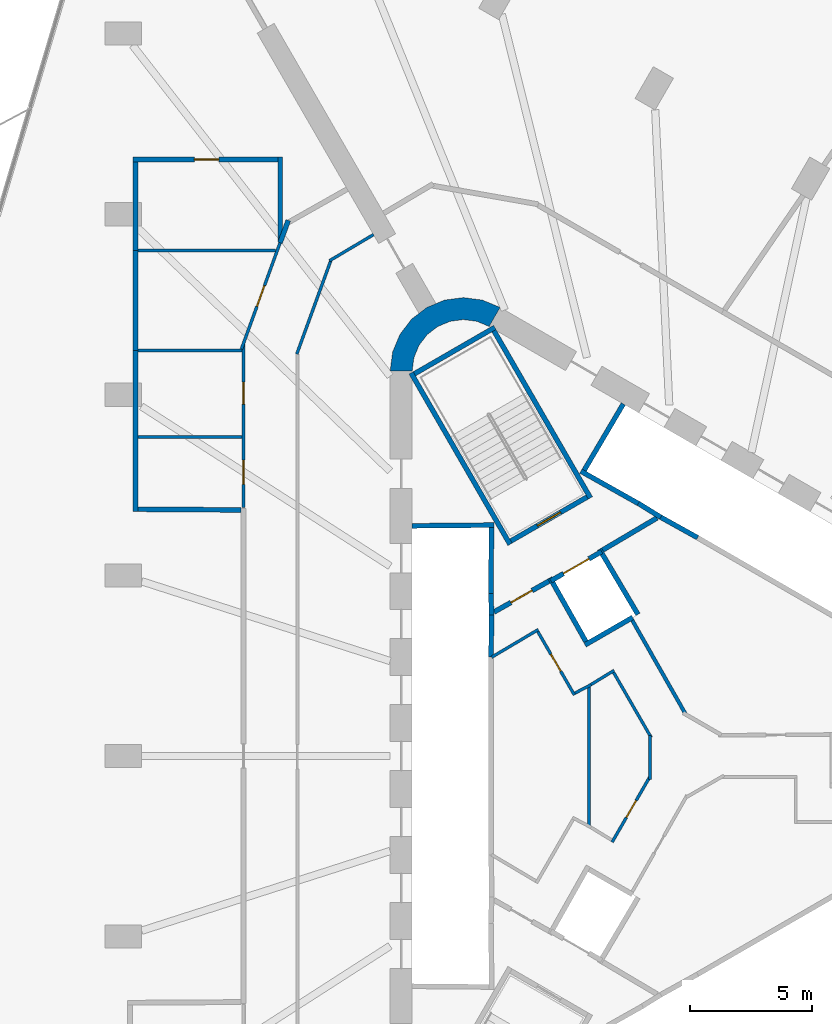
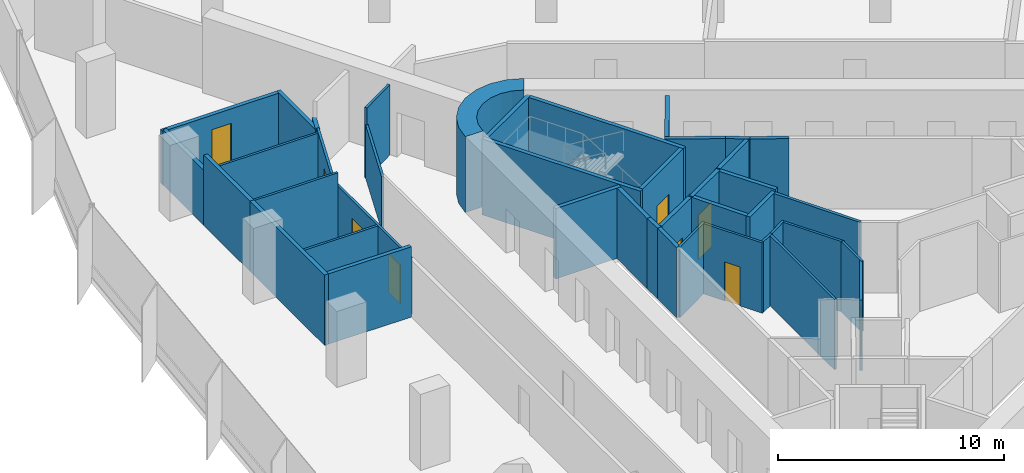
# One storey, part 11 of 15: 42 walls, 9 doors, 9 openings.
"""IFC4 building model written with IfcOpenShell, lengths in metres."""

from ifc_helpers import new_model, si_unit, direction, frame, frame_2d, origin, place, context, subcontext, project, spatial, polyline, rectangle, outline, extrude, material, layer, layer_set, type_object, element, fill, save


model = new_model("IFC4")

# Units and contexts
model_context = context("Model", 3, precision=1e-05, world=origin(), true_north=direction((0.0, 1.0)))
body_context = subcontext(model_context, "Body", "Model", "MODEL_VIEW")
ifc_project = project(units=[si_unit("LENGTHUNIT", "METRE"), si_unit("AREAUNIT", "SQUARE_METRE"), si_unit("VOLUMEUNIT", "CUBIC_METRE"), si_unit("PLANEANGLEUNIT", "RADIAN"), si_unit("MASSUNIT", "GRAM", prefix="KILO")], contexts=[model_context])

# Site, building, storey
site_placement = place(None, origin())
site = spatial("IfcSite", under=ifc_project, at=site_placement, CompositionType="ELEMENT")
building_placement = place(site_placement, origin())
building = spatial("IfcBuilding", under=site, at=building_placement, Name="Tanit Gate Tower", CompositionType="ELEMENT")
storey_placement = place(building_placement, frame((0.0, 0.0, 102.89990234375)))
storey = spatial("IfcBuildingStorey", under=building, at=storey_placement, Name="L21", CompositionType="ELEMENT", Elevation=102.89990234375)

# Walls
ifc_material_1 = material(Name="Concrete C60/75", Category="concrete")
ifc_layer_1 = layer(ifc_material_1, 0.89990234375)
ifc_layer_set_1 = layer_set([ifc_layer_1], Name="CORE WALL 900 C60/75")
wall_type_1 = type_object("IfcWallType", Name="CORE WALL 900 C60/75", PredefinedType="SHEAR", material=ifc_layer_set_1)
wall_1_placement = place(storey_placement, origin())
element("IfcWall", 1, at=wall_1_placement, inside=storey, type_object=wall_type_1, Name="CORE WALL CORNER", PredefinedType="SHEAR", context=body_context, shape_type="SweptSolid", body=[
    extrude(outline(polyline([(-7.60009765625, 18.359619140625), (-8.323486328125, 18.659423828125), (-9.10009765625, 18.76171875), (-9.87646484375, 18.659423828125), (-10.60009765625, 18.359619140625), (-11.22119140625, 17.883056640625), (-11.697998046875, 17.26171875), (-11.997802734375, 16.5380859375), (-12.10009765625, 15.76171875), (-11.199951171875, 15.76171875), (-11.12841796875, 16.30517578125), (-10.918701171875, 16.811767578125), (-10.5849609375, 17.24658203125), (-10.14990234375, 17.580322265625), (-9.6435546875, 17.7900390625), (-9.10009765625, 17.86181640625), (-8.556396484375, 17.7900390625), (-8.050048828125, 17.580322265625), (-7.60009765625, 18.359619140625)])), origin(), (0.0, 0.0, 1.0), 4.10009765625),
])
ifc_material_2 = material(Name="Fire-rated gypsum board partition")
ifc_layer_2 = layer(ifc_material_2, 0.199951171875)
ifc_layer_set_2 = layer_set([ifc_layer_2], Name="INT-WALL-COMPARTMENT")
wall_type_2 = type_object("IfcWallType", Name="INT-WALL-COMPARTMENT", PredefinedType="PARTITIONING", material=ifc_layer_set_2)
wall_2_placement = place(storey_placement, frame((-1.1796875, 9.744384765625, 0.0), z_axis=(0.0, 0.0, 1.0), x_axis=(-0.860615607571, -0.509255118781, 0.0)))
element("IfcWall", 2, at=wall_2_placement, inside=storey, type_object=wall_type_2, Name="Wall Compartment W061", PredefinedType="PARTITIONING", context=body_context, shape_type="SweptSolid", body=[
    extrude(rectangle(XDim=2.58056640625, YDim=0.199951171875, at=frame_2d((1.290283203125, 0.0))), origin(), (0.0, 0.0, 1.0), 3.800048828125),
])

# Wall, opening, door
wall_3_placement = place(storey_placement, frame((-5.600341796875, 7.16015625, 0.0), z_axis=(0.0, 0.0, 1.0), x_axis=(-0.871363259478, -0.490638431059, 0.0)))
wall_3 = element("IfcWall", 3, at=wall_3_placement, inside=storey, type_object=wall_type_2, Name="Wall Compartment W062", PredefinedType="PARTITIONING", context=body_context, shape_type="SweptSolid", body=[
    extrude(rectangle(XDim=2.5810546875, YDim=0.199951171875, at=frame_2d((1.29052734375, 0.0))), origin(), (0.0, 0.0, 1.0), 3.800048828125),
])
opening_1_placement = place(wall_3_placement, frame((0.79052734375, 0.0, 0.0)))
opening_1 = element("IfcOpeningElement", 4, at=opening_1_placement, cuts=wall_3, Name="Opening F10-S04-05", PredefinedType="OPENING", context=body_context, shape_type="SweptSolid", body=[
    extrude(rectangle(XDim=1.0, YDim=2.10009765625, at=frame_2d((0.5, 1.050048828125))), frame((0.0, 0.10986328125, 0.0), z_axis=(0.0, -1.0, 0.0), x_axis=(1.0, 0.0, 0.0)), (0.0, 0.0, 1.0), 0.219970703125),
])
ifc_material_3 = material(Name="Fire-rated steel door leaf", Category="steel")
door_type_1 = type_object("IfcDoorType", Name="INT-DOOR-FIRE-1000", OperationType="NOTDEFINED", PredefinedType="USERDEFINED", material=ifc_material_3)
door_1_placement = place(opening_1_placement, origin())
door_1 = element("IfcDoor", 5, at=door_1_placement, inside=storey, type_object=door_type_1, Name="Door F10-S04-05", ObjectType="FIRE DOOR", OperationType="SINGLE_SWING_LEFT", OverallHeight=2.10009765625, OverallWidth=1.0, PredefinedType="USERDEFINED", context=body_context, shape_type="SweptSolid", body=[
    extrude(rectangle(XDim=1.0, YDim=2.10009765625, at=frame_2d((0.5, 1.050048828125))), frame((0.0, 0.02490234375, 0.0), z_axis=(0.0, -1.0, 0.0), x_axis=(1.0, 0.0, 0.0)), (0.0, 0.0, 1.0), 0.050048828125),
])
fill(opening_1, door_1)

# Walls
wall_4_placement = place(storey_placement, frame((-16.271484375, 21.922607421875, 0.0), z_axis=(0.0, 0.0, 1.0), x_axis=(-0.342165073447, -0.939639857878, 0.0)))
element("IfcWall", 6, at=wall_4_placement, inside=storey, type_object=wall_type_2, Name="Wall Compartment W094", PredefinedType="PARTITIONING", context=body_context, shape_type="SweptSolid", body=[
    extrude(rectangle(XDim=0.975341796875, YDim=0.199951171875, at=frame_2d((0.48779296875, 0.0))), origin(), (0.0, 0.0, 1.0), 2.880126953125),
])
wall_5_placement = place(storey_placement, frame((-22.52001953125, 10.0, 0.0), z_axis=(0.0, 0.0, 1.0), x_axis=(0.0, 1.0, 0.0)))
element("IfcWall", 7, at=wall_5_placement, inside=storey, type_object=wall_type_2, Name="Wall Compartment W120", PredefinedType="PARTITIONING", context=body_context, shape_type="SweptSolid", body=[
    extrude(rectangle(XDim=6.596923828125, YDim=0.199951171875, at=frame_2d((3.29833984375, 0.0))), origin(), (0.0, 0.0, 1.0), 3.800048828125),
])
wall_6_placement = place(storey_placement, frame((-22.52001953125, 16.596923828125, 0.0), z_axis=(0.0, 0.0, 1.0), x_axis=(0.0, 1.0, 0.0)))
element("IfcWall", 8, at=wall_6_placement, inside=storey, type_object=wall_type_2, Name="Wall Compartment W123", PredefinedType="PARTITIONING", context=body_context, shape_type="SweptSolid", body=[
    extrude(rectangle(XDim=4.095458984375, YDim=0.199951171875, at=frame_2d((2.0478515625, 0.0))), origin(), (0.0, 0.0, 1.0), 3.800048828125),
])
wall_7_placement = place(storey_placement, frame((-22.52001953125, 20.6923828125, 0.0), z_axis=(0.0, 0.0, 1.0), x_axis=(0.0, 1.0, 0.0)))
element("IfcWall", 9, at=wall_7_placement, inside=storey, type_object=wall_type_2, Name="Wall Compartment W126", PredefinedType="PARTITIONING", context=body_context, shape_type="SweptSolid", body=[
    extrude(rectangle(XDim=3.61767578125, YDim=0.199951171875, at=frame_2d((1.808837890625, 0.0))), origin(), (0.0, 0.0, 1.0), 2.97998046875),
])
wall_8_placement = place(storey_placement, frame((-18.199951171875, 10.07080078125, 0.0), z_axis=(0.0, 0.0, 1.0), x_axis=(-0.999977091955, 0.006768719685, 0.0)))
element("IfcWall", 10, at=wall_8_placement, inside=storey, type_object=wall_type_2, Name="Wall Compartment W121", PredefinedType="PARTITIONING", context=body_context, shape_type="SweptSolid", body=[
    extrude(rectangle(XDim=4.219970703125, YDim=0.199951171875, at=frame_2d((2.10986328125, 0.0))), origin(), (0.0, 0.0, 1.0), 3.800048828125),
])
wall_9_placement = place(storey_placement, frame((-16.60009765625, 21.03564453125, 0.0), z_axis=(0.0, 0.0, 1.0), x_axis=(0.0, 1.0, 0.0)))
element("IfcWall", 11, at=wall_9_placement, inside=storey, type_object=wall_type_2, Name="Wall Compartment W124", PredefinedType="PARTITIONING", context=body_context, shape_type="SweptSolid", body=[
    extrude(rectangle(XDim=3.474365234375, YDim=0.199951171875, at=frame_2d((1.7373046875, 0.0))), origin(), (0.0, 0.0, 1.0), 2.880126953125),
])

# Wall, opening, door
wall_10_placement = place(storey_placement, frame((-16.699951171875, 24.409912109375, 0.0), z_axis=(0.0, 0.0, 1.0), x_axis=(-1.0, 0.0, 0.0)))
wall_10 = element("IfcWall", 12, at=wall_10_placement, inside=storey, type_object=wall_type_2, Name="Wall Compartment W125", PredefinedType="PARTITIONING", context=body_context, shape_type="SweptSolid", body=[
    extrude(rectangle(XDim=5.920166015625, YDim=0.199951171875, at=frame_2d((2.9599609375, 0.0))), origin(), (0.0, 0.0, 1.0), 2.880126953125),
])
opening_2_placement = place(wall_10_placement, frame((2.409912109375, 0.0, 0.0)))
opening_2 = element("IfcOpeningElement", 13, at=opening_2_placement, cuts=wall_10, Name="Opening F10-S04-19", PredefinedType="OPENING", context=body_context, shape_type="SweptSolid", body=[
    extrude(rectangle(XDim=1.0, YDim=2.10009765625, at=frame_2d((0.5, 1.050048828125))), frame((0.0, 0.10986328125, 0.0), z_axis=(0.0, -1.0, 0.0), x_axis=(1.0, 0.0, 0.0)), (0.0, 0.0, 1.0), 0.219970703125),
])
door_2_placement = place(opening_2_placement, origin())
door_2 = element("IfcDoor", 14, at=door_2_placement, inside=storey, type_object=door_type_1, Name="Door F10-S04-19", ObjectType="FIRE DOOR", OperationType="SINGLE_SWING_RIGHT", OverallHeight=2.10009765625, OverallWidth=1.0, PredefinedType="USERDEFINED", context=body_context, shape_type="SweptSolid", body=[
    extrude(rectangle(XDim=1.0, YDim=2.10009765625, at=frame_2d((0.5, 1.050048828125))), frame((0.0, 0.02490234375, 0.0), z_axis=(0.0, -1.0, 0.0), x_axis=(1.0, 0.0, 0.0)), (0.0, 0.0, 1.0), 0.050048828125),
])
fill(opening_2, door_2)

# Walls
ifc_material_4 = material(Name="Gypsum board partition")
ifc_layer_3 = layer(ifc_material_4, 0.1201171875)
ifc_layer_set_3 = layer_set([ifc_layer_3], Name="INT-WALL-PARTITION")
wall_type_3 = type_object("IfcWallType", Name="INT-WALL-PARTITION", PredefinedType="PARTITIONING", material=ifc_layer_set_3)
wall_11_placement = place(storey_placement, frame((-3.9638671875, -2.90771484375, 0.0), z_axis=(0.0, 0.0, 1.0), x_axis=(0.0, 1.0, 0.0)))
element("IfcWall", 15, at=wall_11_placement, inside=storey, type_object=wall_type_3, Name="Wall Partition W074", PredefinedType="PARTITIONING", context=body_context, shape_type="SweptSolid", body=[
    extrude(rectangle(XDim=5.8154296875, YDim=0.1201171875, at=frame_2d((2.90771484375, 0.0))), origin(), (0.0, 0.0, 1.0), 3.800048828125),
])
wall_12_placement = place(storey_placement, frame((-6.03662109375, 5.17578125, 0.0), z_axis=(0.0, 0.0, 1.0), x_axis=(-0.860106072674, -0.510115225953, 0.0)))
element("IfcWall", 16, at=wall_12_placement, inside=storey, type_object=wall_type_3, Name="Wall Partition W078", PredefinedType="PARTITIONING", context=body_context, shape_type="SweptSolid", body=[
    extrude(rectangle(XDim=2.224609375, YDim=0.1201171875, at=frame_2d((1.1123046875, 0.0))), origin(), (0.0, 0.0, 1.0), 3.800048828125),
])

# Wall, opening, door
wall_13_placement = place(storey_placement, frame((-4.558349609375, 2.4951171875, 0.0), z_axis=(0.0, 0.0, 1.0), x_axis=(-0.499990139034, 0.866031096941, 0.0)))
wall_13 = element("IfcWall", 17, at=wall_13_placement, inside=storey, type_object=wall_type_3, Name="Wall Partition W079", PredefinedType="PARTITIONING", context=body_context, shape_type="SweptSolid", body=[
    extrude(rectangle(XDim=3.0, YDim=0.1201171875, at=frame_2d((1.5, 0.0))), origin(), (0.0, 0.0, 1.0), 3.800048828125),
])
opening_3_placement = place(wall_13_placement, frame((1.1298828125, 0.0, 0.0)))
opening_3 = element("IfcOpeningElement", 18, at=opening_3_placement, cuts=wall_13, Name="Opening R08-S04-12", PredefinedType="OPENING", context=body_context, shape_type="SweptSolid", body=[
    extrude(rectangle(XDim=0.800048828125, YDim=2.10009765625, at=frame_2d((0.39990234375, 1.050048828125))), frame((0.0, 0.070068359375, 0.0), z_axis=(0.0, -1.0, 0.0), x_axis=(1.0, 0.0, 0.0)), (0.0, 0.0, 1.0), 0.14013671875),
])
ifc_material_5 = material(Name="Timber door leaf", Category="wood")
door_type_2 = type_object("IfcDoorType", Name="INT-DOOR-RISER-800", OperationType="NOTDEFINED", PredefinedType="USERDEFINED", material=ifc_material_5)
door_3_placement = place(opening_3_placement, origin())
door_3 = element("IfcDoor", 19, at=door_3_placement, inside=storey, type_object=door_type_2, Name="Door R08-S04-12", ObjectType="FIRE DOOR", OperationType="SINGLE_SWING_LEFT", OverallHeight=2.10009765625, OverallWidth=0.800048828125, PredefinedType="USERDEFINED", context=body_context, shape_type="SweptSolid", body=[
    extrude(rectangle(XDim=0.800048828125, YDim=2.10009765625, at=frame_2d((0.39990234375, 1.050048828125))), frame((0.0, 0.02490234375, 0.0), z_axis=(0.0, -1.0, 0.0), x_axis=(1.0, 0.0, 0.0)), (0.0, 0.0, 1.0), 0.050048828125),
])
fill(opening_3, door_3)

# Walls
wall_14_placement = place(storey_placement, frame((-3.880615234375, 2.918701171875, 0.0), z_axis=(0.0, 0.0, 1.0), x_axis=(-0.885333337811, -0.464956859246, 0.0)))
element("IfcWall", 20, at=wall_14_placement, inside=storey, type_object=wall_type_3, Name="Wall Partition W080", PredefinedType="PARTITIONING", context=body_context, shape_type="SweptSolid", body=[
    extrude(rectangle(XDim=0.7392578125, YDim=0.1201171875, at=frame_2d((0.36962890625, 0.0))), origin(), (0.0, 0.0, 1.0), 3.800048828125),
])
wall_15_placement = place(storey_placement, frame((-2.93505859375, 3.50341796875, 0.0), z_axis=(0.0, 0.0, 1.0), x_axis=(-0.852471794044, -0.522773220774, 0.0)))
element("IfcWall", 21, at=wall_15_placement, inside=storey, type_object=wall_type_3, Name="Wall Partition W081", PredefinedType="PARTITIONING", context=body_context, shape_type="SweptSolid", body=[
    extrude(rectangle(XDim=1.111572265625, YDim=0.1201171875, at=frame_2d((0.5556640625, 0.0))), origin(), (0.0, 0.0, 1.0), 3.800048828125),
])
wall_16_placement = place(storey_placement, frame((-1.420166015625, 0.760009765625, 0.0), z_axis=(0.0, 0.0, 1.0), x_axis=(-0.500011413361, 0.866018814177, 0.0)))
element("IfcWall", 22, at=wall_16_placement, inside=storey, type_object=wall_type_3, Name="Wall Partition W082", PredefinedType="PARTITIONING", context=body_context, shape_type="SweptSolid", body=[
    extrude(rectangle(XDim=3.07177734375, YDim=0.1201171875, at=frame_2d((1.535888671875, 0.0))), origin(), (0.0, 0.0, 1.0), 3.800048828125),
])
wall_17_placement = place(storey_placement, frame((-1.47216796875, -0.953857421875, 0.0), z_axis=(0.0, 0.0, 1.0), x_axis=(0.0, 1.0, 0.0)))
element("IfcWall", 23, at=wall_17_placement, inside=storey, type_object=wall_type_3, Name="Wall Partition W083", PredefinedType="PARTITIONING", context=body_context, shape_type="SweptSolid", body=[
    extrude(rectangle(XDim=1.785400390625, YDim=0.1201171875, at=frame_2d((0.892578125, 0.0))), origin(), (0.0, 0.0, 1.0), 3.800048828125),
])

# Wall, opening, door
wall_18_placement = place(storey_placement, frame((-3.01611328125, -3.524169921875, 0.0), z_axis=(0.0, 0.0, 1.0), x_axis=(0.499988681553, 0.866031938394, 0.0)))
wall_18 = element("IfcWall", 24, at=wall_18_placement, inside=storey, type_object=wall_type_3, Name="Wall Partition W084", PredefinedType="PARTITIONING", context=body_context, shape_type="SweptSolid", body=[
    extrude(rectangle(XDim=3.0693359375, YDim=0.1201171875, at=frame_2d((1.53466796875, 0.0))), origin(), (0.0, 0.0, 1.0), 3.800048828125),
])
opening_4_placement = place(wall_18_placement, frame((1.16455078125, 0.0, 0.0)))
opening_4 = element("IfcOpeningElement", 25, at=opening_4_placement, cuts=wall_18, Name="Opening R08-S04-13", PredefinedType="OPENING", context=body_context, shape_type="SweptSolid", body=[
    extrude(rectangle(XDim=0.800048828125, YDim=2.10009765625, at=frame_2d((0.39990234375, 1.050048828125))), frame((0.0, 0.070068359375, 0.0), z_axis=(0.0, -1.0, 0.0), x_axis=(1.0, 0.0, 0.0)), (0.0, 0.0, 1.0), 0.14013671875),
])
door_4_placement = place(opening_4_placement, origin())
door_4 = element("IfcDoor", 26, at=door_4_placement, inside=storey, type_object=door_type_2, Name="Door R08-S04-13", ObjectType="FIRE DOOR", OperationType="SINGLE_SWING_RIGHT", OverallHeight=2.10009765625, OverallWidth=0.800048828125, PredefinedType="USERDEFINED", context=body_context, shape_type="SweptSolid", body=[
    extrude(rectangle(XDim=0.800048828125, YDim=2.10009765625, at=frame_2d((0.39990234375, 1.050048828125))), frame((0.0, 0.02490234375, 0.0), z_axis=(0.0, -1.0, 0.0), x_axis=(1.0, 0.0, 0.0)), (0.0, 0.0, 1.0), 0.050048828125),
])
fill(opening_4, door_4)

# Walls
wall_19_placement = place(storey_placement, frame((-12.781982421875, 21.339111328125, 0.0), z_axis=(0.0, 0.0, 1.0), x_axis=(-0.859769901207, -0.510681619973, 0.0)))
element("IfcWall", 27, at=wall_19_placement, inside=storey, type_object=wall_type_3, Name="Wall Partition W086", PredefinedType="PARTITIONING", context=body_context, shape_type="SweptSolid", body=[
    extrude(rectangle(XDim=2.092529296875, YDim=0.1201171875, at=frame_2d((1.04638671875, 0.0))), origin(), (0.0, 0.0, 1.0), 3.800048828125),
])
wall_20_placement = place(storey_placement, frame((-14.527587890625, 20.281982421875, 0.0), z_axis=(0.0, 0.0, 1.0), x_axis=(-0.341969257767, -0.939711140054, 0.0)))
element("IfcWall", 28, at=wall_20_placement, inside=storey, type_object=wall_type_3, Name="Wall Partition W087", PredefinedType="PARTITIONING", context=body_context, shape_type="SweptSolid", body=[
    extrude(rectangle(XDim=4.072998046875, YDim=0.1201171875, at=frame_2d((2.03662109375, 0.0))), origin(), (0.0, 0.0, 1.0), 2.880126953125),
])

# Wall, openings, doors
wall_21_placement = place(storey_placement, frame((-18.10009765625, 16.89892578125, 0.0), z_axis=(0.0, 0.0, 1.0), x_axis=(0.0, -1.0, 0.0)))
wall_21 = element("IfcWall", 29, at=wall_21_placement, inside=storey, type_object=wall_type_3, Name="Wall Partition W097", PredefinedType="PARTITIONING", context=body_context, shape_type="SweptSolid", body=[
    extrude(rectangle(XDim=6.72900390625, YDim=0.1201171875, at=frame_2d((3.364501953125, 0.0))), origin(), (0.0, 0.0, 1.0), 3.080078125),
])
opening_5_placement = place(wall_21_placement, frame((4.785888671875, 0.0, 0.0)))
opening_5 = element("IfcOpeningElement", 30, at=opening_5_placement, cuts=wall_21, Name="Opening D10-S04-16", PredefinedType="OPENING", context=body_context, shape_type="SweptSolid", body=[
    extrude(rectangle(XDim=1.0, YDim=2.10009765625, at=frame_2d((0.5, 1.050048828125))), frame((0.0, 0.070068359375, 0.0), z_axis=(0.0, -1.0, 0.0), x_axis=(1.0, 0.0, 0.0)), (0.0, 0.0, 1.0), 0.14013671875),
])
opening_6_placement = place(wall_21_placement, frame((1.592529296875, 0.0, 0.0)))
opening_6 = element("IfcOpeningElement", 31, at=opening_6_placement, cuts=wall_21, Name="Opening D09-S04-17", PredefinedType="OPENING", context=body_context, shape_type="SweptSolid", body=[
    extrude(rectangle(XDim=0.89990234375, YDim=2.10009765625, at=frame_2d((0.449951171875, 1.050048828125))), frame((0.0, 0.070068359375, 0.0), z_axis=(0.0, -1.0, 0.0), x_axis=(1.0, 0.0, 0.0)), (0.0, 0.0, 1.0), 0.14013671875),
])
ifc_material_6 = material(Name="Timber door leaf", Category="wood")
door_type_3 = type_object("IfcDoorType", Name="INT-DOOR-SINGLE-1000", OperationType="NOTDEFINED", PredefinedType="NOTDEFINED", material=ifc_material_6)
door_5_placement = place(opening_5_placement, origin())
door_5 = element("IfcDoor", 32, at=door_5_placement, inside=storey, type_object=door_type_3, Name="Door D10-S04-16", OperationType="SINGLE_SWING_RIGHT", OverallHeight=2.10009765625, OverallWidth=1.0, PredefinedType="NOTDEFINED", context=body_context, shape_type="SweptSolid", body=[
    extrude(rectangle(XDim=1.0, YDim=2.10009765625, at=frame_2d((0.5, 1.050048828125))), frame((0.0, 0.02490234375, 0.0), z_axis=(0.0, -1.0, 0.0), x_axis=(1.0, 0.0, 0.0)), (0.0, 0.0, 1.0), 0.050048828125),
])
fill(opening_5, door_5)
ifc_material_7 = material(Name="Timber door leaf", Category="wood")
door_type_4 = type_object("IfcDoorType", Name="INT-DOOR-SINGLE-900", OperationType="NOTDEFINED", PredefinedType="NOTDEFINED", material=ifc_material_7)
door_6_placement = place(opening_6_placement, origin())
door_6 = element("IfcDoor", 33, at=door_6_placement, inside=storey, type_object=door_type_4, Name="Door D09-S04-17", OperationType="SINGLE_SWING_LEFT", OverallHeight=2.10009765625, OverallWidth=0.89990234375, PredefinedType="NOTDEFINED", context=body_context, shape_type="SweptSolid", body=[
    extrude(rectangle(XDim=0.89990234375, YDim=2.10009765625, at=frame_2d((0.449951171875, 1.050048828125))), frame((0.0, 0.02490234375, 0.0), z_axis=(0.0, -1.0, 0.0), x_axis=(1.0, 0.0, 0.0)), (0.0, 0.0, 1.0), 0.050048828125),
])
fill(opening_6, door_6)

# Wall, opening, door
wall_22_placement = place(storey_placement, frame((-16.605224609375, 21.006103515625, 0.0), z_axis=(0.0, 0.0, 1.0), x_axis=(-0.342014101174, -0.939694819927, 0.0)))
wall_22 = element("IfcWall", 34, at=wall_22_placement, inside=storey, type_object=wall_type_3, Name="Wall Partition W098", PredefinedType="PARTITIONING", context=body_context, shape_type="SweptSolid", body=[
    extrude(rectangle(XDim=4.62841796875, YDim=0.1201171875, at=frame_2d((2.314208984375, 0.0))), origin(), (0.0, 0.0, 1.0), 2.97998046875),
])
opening_7_placement = place(wall_22_placement, frame((1.87109375, 0.0, 0.0)))
opening_7 = element("IfcOpeningElement", 35, at=opening_7_placement, cuts=wall_22, Name="Opening D09-S04-18", PredefinedType="OPENING", context=body_context, shape_type="SweptSolid", body=[
    extrude(rectangle(XDim=0.89990234375, YDim=2.10009765625, at=frame_2d((0.449951171875, 1.050048828125))), frame((0.0, 0.070068359375, 0.0), z_axis=(0.0, -1.0, 0.0), x_axis=(1.0, 0.0, 0.0)), (0.0, 0.0, 1.0), 0.14013671875),
])
door_7_placement = place(opening_7_placement, origin())
door_7 = element("IfcDoor", 36, at=door_7_placement, inside=storey, type_object=door_type_4, Name="Door D09-S04-18", OperationType="SINGLE_SWING_LEFT", OverallHeight=2.10009765625, OverallWidth=0.89990234375, PredefinedType="NOTDEFINED", context=body_context, shape_type="SweptSolid", body=[
    extrude(rectangle(XDim=0.89990234375, YDim=2.10009765625, at=frame_2d((0.449951171875, 1.050048828125))), frame((0.0, 0.02490234375, 0.0), z_axis=(0.0, -1.0, 0.0), x_axis=(1.0, 0.0, 0.0)), (0.0, 0.0, 1.0), 0.050048828125),
])
fill(opening_7, door_7)

# Walls
wall_23_placement = place(storey_placement, frame((-22.419921875, 13.055908203125, 0.0), z_axis=(0.0, 0.0, 1.0), x_axis=(1.0, 0.0, 0.0)))
element("IfcWall", 37, at=wall_23_placement, inside=storey, type_object=wall_type_3, Name="Wall Partition W141", PredefinedType="PARTITIONING", context=body_context, shape_type="SweptSolid", body=[
    extrude(rectangle(XDim=4.260009765625, YDim=0.1201171875, at=frame_2d((2.1298828125, 0.0))), origin(), (0.0, 0.0, 1.0), 3.080078125),
])
wall_24_placement = place(storey_placement, frame((-22.419921875, 16.596923828125, 0.0), z_axis=(0.0, 0.0, 1.0), x_axis=(1.0, 0.0, 0.0)))
element("IfcWall", 38, at=wall_24_placement, inside=storey, type_object=wall_type_3, Name="Wall Partition W142", PredefinedType="PARTITIONING", context=body_context, shape_type="SweptSolid", body=[
    extrude(rectangle(XDim=4.260009765625, YDim=0.1201171875, at=frame_2d((2.1298828125, 0.0))), origin(), (0.0, 0.0, 1.0), 3.800048828125),
])
wall_25_placement = place(storey_placement, frame((-22.419921875, 20.6923828125, 0.0), z_axis=(0.0, 0.0, 1.0), x_axis=(1.0, 0.0, 0.0)))
element("IfcWall", 39, at=wall_25_placement, inside=storey, type_object=wall_type_3, Name="Wall Partition W143", PredefinedType="PARTITIONING", context=body_context, shape_type="SweptSolid", body=[
    extrude(rectangle(XDim=5.63671875, YDim=0.1201171875, at=frame_2d((2.818359375, 0.0))), origin(), (0.0, 0.0, 1.0), 2.97998046875),
])
ifc_material_8 = material(Name="Fire-rated gypsum board partition")
ifc_layer_4 = layer(ifc_material_8, 0.14990234375)
ifc_layer_set_4 = layer_set([ifc_layer_4], Name="INT-WALL-RISER")
wall_type_4 = type_object("IfcWallType", Name="INT-WALL-RISER", PredefinedType="PLUMBINGWALL", material=ifc_layer_set_4)
wall_26_placement = place(storey_placement, frame((-2.18896484375, 5.549072265625, 0.0), z_axis=(0.0, 0.0, 1.0), x_axis=(0.494335077001, -0.869271437266, 0.0)))
element("IfcWall", 40, at=wall_26_placement, inside=storey, type_object=wall_type_4, Name="Wall Riser W067", PredefinedType="PLUMBINGWALL", context=body_context, shape_type="SweptSolid", body=[
    extrude(rectangle(XDim=4.404296875, YDim=0.14990234375, at=frame_2d((2.2021484375, 0.0))), origin(), (0.0, 0.0, 1.0), 3.800048828125),
])
ifc_material_9 = material(Name="Gypsum shaft wall system")
ifc_layer_5 = layer(ifc_material_9, 0.199951171875)
ifc_layer_set_5 = layer_set([ifc_layer_5], Name="INT-WALL-SHAFT")
wall_type_5 = type_object("IfcWallType", Name="INT-WALL-SHAFT", PredefinedType="PLUMBINGWALL", material=ifc_layer_set_5)
wall_27_placement = place(storey_placement, frame((-11.199951171875, 9.419921875, 0.0), z_axis=(0.0, 0.0, 1.0), x_axis=(0.999957167047, 0.009255488683, 0.0)))
element("IfcWall", 41, at=wall_27_placement, inside=storey, type_object=wall_type_5, Name="Wall Shaft W001", PredefinedType="PLUMBINGWALL", context=body_context, shape_type="SweptSolid", body=[
    extrude(rectangle(XDim=3.35009765625, YDim=0.199951171875, at=frame_2d((1.675048828125, 0.0))), origin(), (0.0, 0.0, 1.0), 3.800048828125),
])
wall_28_placement = place(storey_placement, frame((-7.951171875, 9.35009765625, 0.0), z_axis=(0.0, 0.0, 1.0), x_axis=(-0.011120469654, -0.999938165666, 0.0)))
element("IfcWall", 42, at=wall_28_placement, inside=storey, type_object=wall_type_5, Name="Wall Shaft W002", PredefinedType="PLUMBINGWALL", context=body_context, shape_type="SweptSolid", body=[
    extrude(rectangle(XDim=2.700439453125, YDim=0.199951171875, at=frame_2d((1.35009765625, 0.0))), origin(), (0.0, 0.0, 1.0), 3.800048828125),
])
wall_29_placement = place(storey_placement, frame((-7.97705078125, 6.650146484375, 0.0), z_axis=(0.0, 0.0, 1.0), x_axis=(0.030861509705, -0.999523670164, 0.0)))
element("IfcWall", 43, at=wall_29_placement, inside=storey, type_object=wall_type_5, Name="Wall Shaft W004", PredefinedType="PLUMBINGWALL", context=body_context, shape_type="SweptSolid", body=[
    extrude(rectangle(XDim=0.878173828125, YDim=0.199951171875, at=frame_2d((0.43896484375, 0.0))), origin(), (0.0, 0.0, 1.0), 3.800048828125),
])
wall_30_placement = place(storey_placement, frame((-7.94921875, 5.894775390625, 0.0), z_axis=(0.0, 0.0, 1.0), x_axis=(-0.012042535896, -0.999927486035, 0.0)))
element("IfcWall", 44, at=wall_30_placement, inside=storey, type_object=wall_type_5, Name="Wall Shaft W005", PredefinedType="PLUMBINGWALL", context=body_context, shape_type="SweptSolid", body=[
    extrude(rectangle(XDim=1.844970703125, YDim=0.199951171875, at=frame_2d((0.92236328125, 0.0))), origin(), (0.0, 0.0, 1.0), 3.800048828125),
])
wall_31_placement = place(storey_placement, frame((-1.940673828125, 10.338623046875, 0.0), z_axis=(0.0, 0.0, 1.0), x_axis=(0.850216889117, -0.526432561171, 0.0)))
element("IfcWall", 45, at=wall_31_placement, inside=storey, type_object=wall_type_5, Name="Wall Shaft W019", PredefinedType="PLUMBINGWALL", context=body_context, shape_type="SweptSolid", body=[
    extrude(rectangle(XDim=1.078369140625, YDim=0.199951171875, at=frame_2d((0.5390625, 0.0))), origin(), (0.0, 0.0, 1.0), 3.800048828125),
])
wall_32_placement = place(storey_placement, frame((0.482666015625, 8.935791015625, 0.0), z_axis=(0.0, 0.0, 1.0), x_axis=(-0.874269620932, 0.485440655401, 0.0)))
element("IfcWall", 46, at=wall_32_placement, inside=storey, type_object=wall_type_5, Name="Wall Shaft W020", PredefinedType="PLUMBINGWALL", context=body_context, shape_type="SweptSolid", body=[
    extrude(rectangle(XDim=1.8447265625, YDim=0.199951171875, at=frame_2d((0.92236328125, 0.0))), origin(), (0.0, 0.0, 1.0), 3.800048828125),
])
wall_33_placement = place(storey_placement, frame((-4.296142578125, 11.658935546875, 0.0), z_axis=(0.0, 0.0, 1.0), x_axis=(0.871534483978, -0.490334215854, 0.0)))
element("IfcWall", 47, at=wall_33_placement, inside=storey, type_object=wall_type_5, Name="Wall Shaft W021", PredefinedType="PLUMBINGWALL", context=body_context, shape_type="SweptSolid", body=[
    extrude(rectangle(XDim=2.7001953125, YDim=0.199951171875, at=frame_2d((1.35009765625, 0.0))), origin(), (0.0, 0.0, 1.0), 3.800048828125),
])
wall_34_placement = place(storey_placement, frame((-4.158203125, 11.696044921875, 0.0), z_axis=(0.0, 0.0, 1.0), x_axis=(0.508018930956, 0.861345903683, 0.0)))
element("IfcWall", 48, at=wall_34_placement, inside=storey, type_object=wall_type_5, Name="Wall Shaft W022", PredefinedType="PLUMBINGWALL", context=body_context, shape_type="SweptSolid", body=[
    extrude(rectangle(XDim=3.150146484375, YDim=0.199951171875, at=frame_2d((1.5751953125, 0.0))), origin(), (0.0, 0.0, 1.0), 3.800048828125),
])

# Wall, opening, door
wall_35_placement = place(storey_placement, frame((-5.524169921875, 7.168212890625, 0.0), z_axis=(0.0, 0.0, 1.0), x_axis=(0.866024647952, 0.500001309137, 0.0)))
wall_35 = element("IfcWall", 49, at=wall_35_placement, inside=storey, type_object=wall_type_5, Name="Wall Shaft W045", PredefinedType="PLUMBINGWALL", context=body_context, shape_type="SweptSolid", body=[
    extrude(rectangle(XDim=2.39990234375, YDim=0.199951171875, at=frame_2d((1.199951171875, 0.0))), origin(), (0.0, 0.0, 1.0), 3.800048828125),
])
opening_8_placement = place(wall_35_placement, frame((0.60009765625, 0.0, 0.0)))
opening_8 = element("IfcOpeningElement", 50, at=opening_8_placement, cuts=wall_35, Name="Opening LDFL2-L21", PredefinedType="OPENING", context=body_context, shape_type="SweptSolid", body=[
    extrude(rectangle(XDim=1.199951171875, YDim=2.39990234375, at=frame_2d((0.60009765625, 1.199951171875))), frame((0.0, 0.10986328125, 0.0), z_axis=(0.0, -1.0, 0.0), x_axis=(1.0, 0.0, 0.0)), (0.0, 0.0, 1.0), 0.219970703125),
])
ifc_material_10 = material(Name="Stainless steel sliding door leaf", Category="steel")
door_type_5 = type_object("IfcDoorType", Name="INT-DOOR-LANDING-1200", OperationType="NOTDEFINED", PredefinedType="USERDEFINED", material=ifc_material_10)
door_8_placement = place(opening_8_placement, origin())
door_8 = element("IfcDoor", 51, at=door_8_placement, inside=storey, type_object=door_type_5, Name="Door LDFL2-L21", ObjectType="LANDING DOOR", OperationType="SLIDING_TO_LEFT", OverallHeight=2.39990234375, OverallWidth=1.199951171875, PredefinedType="USERDEFINED", context=body_context, shape_type="SweptSolid", body=[
    extrude(rectangle(XDim=1.199951171875, YDim=2.39990234375, at=frame_2d((0.60009765625, 1.199951171875))), frame((0.0, 0.02490234375, 0.0), z_axis=(0.0, -1.0, 0.0), x_axis=(1.0, 0.0, 0.0)), (0.0, 0.0, 1.0), 0.050048828125),
])
fill(opening_8, door_8)

# Walls
wall_36_placement = place(storey_placement, frame((-3.53759765625, 8.46533203125, 0.0), z_axis=(0.0, 0.0, 1.0), x_axis=(0.508647062354, -0.860975125052, 0.0)))
element("IfcWall", 52, at=wall_36_placement, inside=storey, type_object=wall_type_5, Name="Wall Shaft W046", PredefinedType="PLUMBINGWALL", context=body_context, shape_type="SweptSolid", body=[
    extrude(rectangle(XDim=3.10009765625, YDim=0.199951171875, at=frame_2d((1.550048828125, 0.0))), origin(), (0.0, 0.0, 1.0), 3.800048828125),
])
wall_37_placement = place(storey_placement, frame((-2.17333984375, 5.67333984375, 0.0), z_axis=(0.0, 0.0, 1.0), x_axis=(-0.866028691075, -0.499994306202, 0.0)))
element("IfcWall", 53, at=wall_37_placement, inside=storey, type_object=wall_type_5, Name="Wall Shaft W047", PredefinedType="PLUMBINGWALL", context=body_context, shape_type="SweptSolid", body=[
    extrude(rectangle(XDim=2.25439453125, YDim=0.199951171875, at=frame_2d((1.127197265625, 0.0))), origin(), (0.0, 0.0, 1.0), 3.800048828125),
])
wall_38_placement = place(storey_placement, frame((-5.5625, 7.29638671875, 0.0), z_axis=(0.0, 0.0, 1.0), x_axis=(0.49134651263, -0.870964180966, 0.0)))
element("IfcWall", 54, at=wall_38_placement, inside=storey, type_object=wall_type_5, Name="Wall Shaft W048", PredefinedType="PLUMBINGWALL", context=body_context, shape_type="SweptSolid", body=[
    extrude(rectangle(XDim=3.000244140625, YDim=0.199951171875, at=frame_2d((1.5, 0.0))), origin(), (0.0, 0.0, 1.0), 3.800048828125),
])
ifc_material_11 = material(Name="Concrete C40/50", Category="concrete")
ifc_layer_6 = layer(ifc_material_11, 0.199951171875)
ifc_layer_set_6 = layer_set([ifc_layer_6], Name="INT-WALL-STAIR")
wall_type_6 = type_object("IfcWallType", Name="INT-WALL-STAIR", PredefinedType="SHEAR", material=ifc_layer_set_6)
wall_39_placement = place(storey_placement, frame((-11.245361328125, 15.677734375, -0.2998046875), z_axis=(0.0, 0.0, 1.0), x_axis=(0.499977274689, -0.866038523851, 0.0)))
element("IfcWall", 55, at=wall_39_placement, inside=storey, type_object=wall_type_6, Name="Wall Stair W041", PredefinedType="SHEAR", context=body_context, shape_type="SweptSolid", body=[
    extrude(rectangle(XDim=8.10009765625, YDim=0.199951171875, at=frame_2d((4.050048828125, 0.0))), origin(), (0.0, 0.0, 1.0), 4.099853515625),
])
wall_40_placement = place(storey_placement, frame((-7.81787109375, 17.541015625, -0.2998046875), z_axis=(0.0, 0.0, 1.0), x_axis=(-0.866044365799, -0.499967155389, 0.0)))
element("IfcWall", 56, at=wall_40_placement, inside=storey, type_object=wall_type_6, Name="Wall Stair W042", PredefinedType="SHEAR", context=body_context, shape_type="SweptSolid", body=[
    extrude(rectangle(XDim=3.800048828125, YDim=0.199951171875, at=frame_2d((1.89990234375, 0.0))), origin(), (0.0, 0.0, 1.0), 4.099853515625),
])
wall_41_placement = place(storey_placement, frame((-7.8544921875, 17.404541015625, -0.2998046875), z_axis=(0.0, 0.0, 1.0), x_axis=(0.499997992926, -0.866026562566, 0.0)))
element("IfcWall", 57, at=wall_41_placement, inside=storey, type_object=wall_type_6, Name="Wall Stair W043", PredefinedType="SHEAR", context=body_context, shape_type="SweptSolid", body=[
    extrude(rectangle(XDim=7.89990234375, YDim=0.199951171875, at=frame_2d((3.949951171875, 0.0))), origin(), (0.0, 0.0, 1.0), 4.099853515625),
])

# Wall, opening, door
wall_42_placement = place(storey_placement, frame((-7.158935546875, 8.799560546875, -0.2998046875), z_axis=(0.0, 0.0, 1.0), x_axis=(0.866047807691, 0.499961193289, 0.0)))
wall_42 = element("IfcWall", 58, at=wall_42_placement, inside=storey, type_object=wall_type_6, Name="Wall Stair W044", PredefinedType="SHEAR", context=body_context, shape_type="SweptSolid", body=[
    extrude(rectangle(XDim=3.599853515625, YDim=0.199951171875, at=frame_2d((1.7998046875, 0.0))), origin(), (0.0, 0.0, 1.0), 4.099853515625),
])
opening_9_placement = place(wall_42_placement, frame((1.25, 0.0, 0.300048828125)))
opening_9 = element("IfcOpeningElement", 59, at=opening_9_placement, cuts=wall_42, Name="Opening S11-S04-04", PredefinedType="OPENING", context=body_context, shape_type="SweptSolid", body=[
    extrude(rectangle(XDim=1.10009765625, YDim=2.10009765625, at=frame_2d((0.550048828125, 1.050048828125))), frame((0.0, 0.10986328125, 0.0), z_axis=(0.0, -1.0, 0.0), x_axis=(1.0, 0.0, 0.0)), (0.0, 0.0, 1.0), 0.219970703125),
])
ifc_material_12 = material(Name="Timber door leaf", Category="wood")
door_type_6 = type_object("IfcDoorType", Name="INT-DOOR-STAIR-1100", OperationType="NOTDEFINED", PredefinedType="USERDEFINED", material=ifc_material_12)
door_9_placement = place(opening_9_placement, origin())
door_9 = element("IfcDoor", 60, at=door_9_placement, inside=storey, type_object=door_type_6, Name="Door S11-S04-04", ObjectType="FIRE DOOR", OperationType="SINGLE_SWING_RIGHT", OverallHeight=2.10009765625, OverallWidth=1.10009765625, PredefinedType="USERDEFINED", context=body_context, shape_type="SweptSolid", body=[
    extrude(rectangle(XDim=1.10009765625, YDim=2.10009765625, at=frame_2d((0.550048828125, 1.050048828125))), frame((0.0, 0.02490234375, 0.0), z_axis=(0.0, -1.0, 0.0), x_axis=(1.0, 0.0, 0.0)), (0.0, 0.0, 1.0), 0.050048828125),
])
fill(opening_9, door_9)

save(model, "model.ifc")
